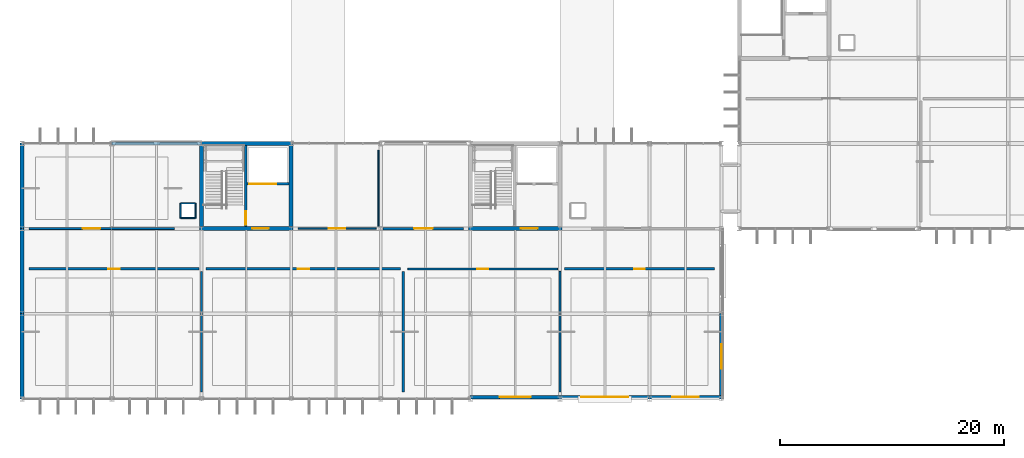
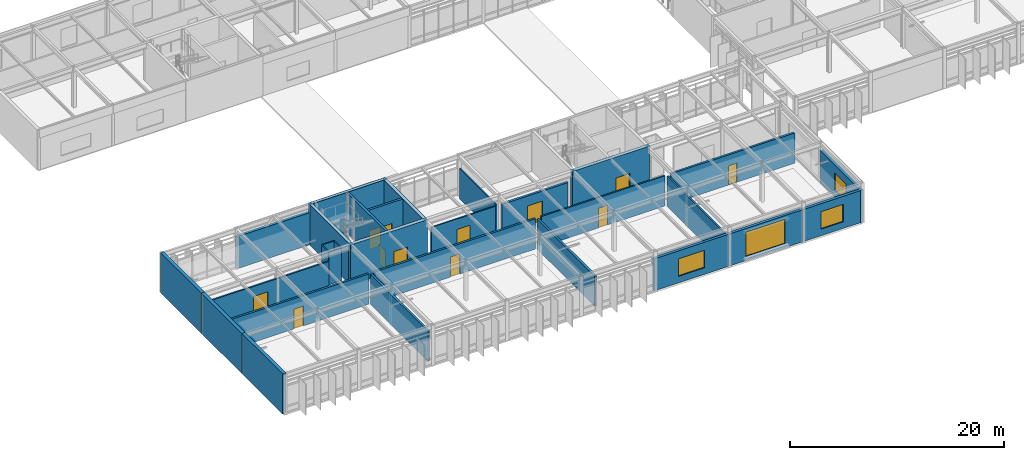
# One storey, part 82 of 100: 30 walls, 12 doors, 4 windows, 16 openings.
"""IFC4 building model written with IfcOpenShell, lengths in metres."""

from ifc_helpers import new_model, si_unit, direction, frame, frame_2d, origin, place, context, subcontext, project, spatial, rectangle, extrude, material, layer, layer_set, type_object, element, fill, save


model = new_model("IFC4")

# Units and contexts
model_context = context("Model", 3, precision=1e-05, world=origin(), true_north=direction((0.0, 1.0)))
body_context = subcontext(model_context, "Body", "Model", "MODEL_VIEW")
ifc_project = project(units=[si_unit("LENGTHUNIT", "METRE"), si_unit("AREAUNIT", "SQUARE_METRE"), si_unit("VOLUMEUNIT", "CUBIC_METRE"), si_unit("PLANEANGLEUNIT", "RADIAN"), si_unit("MASSUNIT", "GRAM", prefix="KILO")], contexts=[model_context])

# Site, building, storey
site_placement = place(None, origin())
site = spatial("IfcSite", under=ifc_project, at=site_placement, CompositionType="ELEMENT")
building_placement = place(site_placement, origin())
building = spatial("IfcBuilding", under=site, at=building_placement, Name="Zulena Civic Courthouse", CompositionType="ELEMENT")
storey_placement = place(building_placement, frame((0.0, 0.0, 20.39990234375)))
storey = spatial("IfcBuildingStorey", under=building, at=storey_placement, Name="L04", CompositionType="ELEMENT", Elevation=20.39990234375)

# Wall, opening, door
ifc_material_1 = material(Name="Concrete C40/50", Category="concrete")
ifc_layer_1 = layer(ifc_material_1, 0.25)
ifc_layer_set_1 = layer_set([ifc_layer_1], Name="Concrete C40/50")
wall_type_1 = type_object("IfcWallType", Name="CoreShearWall_RC250", PredefinedType="SHEAR", material=ifc_layer_set_1)
wall_1_placement = place(storey_placement, frame((23.949951171875, 15.375, 0.0), z_axis=(0.0, 0.0, 1.0), x_axis=(0.0, 1.0, 0.0)))
wall_1 = element("IfcWall", 1, at=wall_1_placement, inside=storey, type_object=wall_type_1, Name="cwall:K2A:L04:DIV", PredefinedType="SHEAR", context=body_context, shape_type="SweptSolid", body=[
    extrude(rectangle(XDim=7.25, YDim=0.25, at=frame_2d((3.625, 0.0))), origin(), (0.0, 0.0, 1.0), 4.590087890625),
])
opening_1_placement = place(wall_1_placement, frame((0.179931640625, 0.0, 0.0)))
opening_1 = element("IfcOpeningElement", 2, at=opening_1_placement, cuts=wall_1, Name="Opening ID07", PredefinedType="OPENING", context=body_context, shape_type="SweptSolid", body=[
    extrude(rectangle(XDim=1.199951171875, YDim=2.199951171875, at=frame_2d((0.60009765625, 1.10009765625))), frame((0.0, 0.135009765625, 0.0), z_axis=(0.0, -1.0, 0.0), x_axis=(1.0, 0.0, 0.0)), (0.0, 0.0, 1.0), 0.27001953125),
])
ifc_material_2 = material(Name="Fire-rated galvanised steel ASTM A653 Grade 50", Category="steel")
door_type_1 = type_object("IfcDoorType", Name="IntDoor_Stair_1200x2200", OperationType="NOTDEFINED", PredefinedType="DOOR", material=ifc_material_2)
door_1_placement = place(opening_1_placement, origin())
door_1 = element("IfcDoor", 3, at=door_1_placement, inside=storey, type_object=door_type_1, Name="door:stair:K2A:L04", OperationType="SINGLE_SWING_LEFT", OverallHeight=2.199951171875, OverallWidth=1.199951171875, PredefinedType="DOOR", context=body_context, shape_type="SweptSolid", body=[
    extrude(rectangle(XDim=1.199951171875, YDim=2.199951171875, at=frame_2d((0.60009765625, 1.10009765625))), frame((0.0, 0.02490234375, 0.0), z_axis=(0.0, -1.0, 0.0), x_axis=(1.0, 0.0, 0.0)), (0.0, 0.0, 1.0), 0.050048828125),
])
fill(opening_1, door_1)

# Wall, openings, doors
wall_2_placement = place(storey_placement, frame((24.074951171875, 19.199951171875, 0.0), z_axis=(0.0, 0.0, 1.0), x_axis=(1.0, 0.0, 0.0)))
wall_2 = element("IfcWall", 4, at=wall_2_placement, inside=storey, type_object=wall_type_1, Name="cwall:K2A:L04:SHF", PredefinedType="SHEAR", context=body_context, shape_type="SweptSolid", body=[
    extrude(rectangle(XDim=3.75, YDim=0.25, at=frame_2d((1.875, 0.0))), origin(), (0.0, 0.0, 1.0), 4.590087890625),
])
opening_2_placement = place(wall_2_placement, frame((0.179931640625, 0.0, 0.0)))
opening_2 = element("IfcOpeningElement", 5, at=opening_2_placement, cuts=wall_2, Name="Opening LD01", PredefinedType="OPENING", context=body_context, shape_type="SweptSolid", body=[
    extrude(rectangle(XDim=1.199951171875, YDim=2.199951171875, at=frame_2d((0.60009765625, 1.10009765625))), frame((0.0, 0.135009765625, 0.0), z_axis=(0.0, -1.0, 0.0), x_axis=(1.0, 0.0, 0.0)), (0.0, 0.0, 1.0), 0.27001953125),
])
opening_3_placement = place(wall_2_placement, frame((1.550048828125, 0.0, 0.0)))
opening_3 = element("IfcOpeningElement", 6, at=opening_3_placement, cuts=wall_2, Name="Opening LD03", PredefinedType="OPENING", context=body_context, shape_type="SweptSolid", body=[
    extrude(rectangle(XDim=1.050048828125, YDim=2.199951171875, at=frame_2d((0.52490234375, 1.10009765625))), frame((0.0, 0.135009765625, 0.0), z_axis=(0.0, -1.0, 0.0), x_axis=(1.0, 0.0, 0.0)), (0.0, 0.0, 1.0), 0.27001953125),
])
door_type_2 = type_object("IfcDoorType", Name="LiftLandingDoor_FF_1200x2200", OperationType="SLIDING_TO_LEFT", PredefinedType="DOOR", material=ifc_material_2)
door_2_placement = place(opening_2_placement, origin())
door_2 = element("IfcDoor", 7, at=door_2_placement, inside=storey, type_object=door_type_2, Name="door:ld:FL-01:L04", OperationType="SLIDING_TO_LEFT", OverallHeight=2.199951171875, OverallWidth=1.199951171875, PredefinedType="DOOR", context=body_context, shape_type="SweptSolid", body=[
    extrude(rectangle(XDim=1.199951171875, YDim=2.199951171875, at=frame_2d((0.60009765625, 1.10009765625))), frame((0.0, 0.02490234375, 0.0), z_axis=(0.0, -1.0, 0.0), x_axis=(1.0, 0.0, 0.0)), (0.0, 0.0, 1.0), 0.050048828125),
])
fill(opening_2, door_2)
door_type_3 = type_object("IfcDoorType", Name="LiftLandingDoor_Jud_1050x2200", OperationType="SLIDING_TO_RIGHT", PredefinedType="DOOR", material=ifc_material_2)
door_3_placement = place(opening_3_placement, origin())
door_3 = element("IfcDoor", 8, at=door_3_placement, inside=storey, type_object=door_type_3, Name="door:ld:JL-01:L04", OperationType="SLIDING_TO_RIGHT", OverallHeight=2.199951171875, OverallWidth=1.050048828125, PredefinedType="DOOR", context=body_context, shape_type="SweptSolid", body=[
    extrude(rectangle(XDim=1.050048828125, YDim=2.199951171875, at=frame_2d((0.52490234375, 1.10009765625))), frame((0.0, 0.02490234375, 0.0), z_axis=(0.0, -1.0, 0.0), x_axis=(1.0, 0.0, 0.0)), (0.0, 0.0, 1.0), 0.050048828125),
])
fill(opening_3, door_3)

# Wall, opening, door
ifc_layer_2 = layer(ifc_material_1, 0.35009765625)
ifc_layer_set_2 = layer_set([ifc_layer_2], Name="Concrete C40/50")
wall_type_2 = type_object("IfcWallType", Name="CoreShearWall_RC350", PredefinedType="SHEAR", material=ifc_layer_set_2)
wall_3_placement = place(storey_placement, frame((19.824951171875, 15.199951171875, 0.0), z_axis=(0.0, 0.0, 1.0), x_axis=(1.0, 0.0, 0.0)))
wall_3 = element("IfcWall", 9, at=wall_3_placement, inside=storey, type_object=wall_type_2, Name="cwall:K2A:L04:S", PredefinedType="SHEAR", context=body_context, shape_type="SweptSolid", body=[
    extrude(rectangle(XDim=8.35009765625, YDim=0.35009765625, at=frame_2d((4.175048828125, 0.0))), origin(), (0.0, 0.0, 1.0), 4.590087890625),
])
opening_4_placement = place(wall_3_placement, frame((4.68505859375, 0.0, 0.0)))
opening_4 = element("IfcOpeningElement", 10, at=opening_4_placement, cuts=wall_3, Name="Opening ID05", PredefinedType="OPENING", context=body_context, shape_type="SweptSolid", body=[
    extrude(rectangle(XDim=1.5, YDim=2.199951171875, at=frame_2d((0.75, 1.10009765625))), frame((0.0, 0.18505859375, 0.0), z_axis=(0.0, -1.0, 0.0), x_axis=(1.0, 0.0, 0.0)), (0.0, 0.0, 1.0), 0.3701171875),
])
door_type_4 = type_object("IfcDoorType", Name="IntDoor_FFLobby_1500x2200", OperationType="DOUBLE_DOOR_SINGLE_SWING", PredefinedType="DOOR", material=ifc_material_2)
door_4_placement = place(opening_4_placement, origin())
door_4 = element("IfcDoor", 11, at=door_4_placement, inside=storey, type_object=door_type_4, Name="door:corelob:K2A:L04", OperationType="DOUBLE_DOOR_SINGLE_SWING", OverallHeight=2.199951171875, OverallWidth=1.5, PredefinedType="DOOR", context=body_context, shape_type="SweptSolid", body=[
    extrude(rectangle(XDim=1.5, YDim=2.199951171875, at=frame_2d((0.75, 1.10009765625))), frame((0.0, 0.02490234375, 0.0), z_axis=(0.0, -1.0, 0.0), x_axis=(1.0, 0.0, 0.0)), (0.0, 0.0, 1.0), 0.050048828125),
])
fill(opening_4, door_4)

# Walls
wall_4_placement = place(storey_placement, frame((19.824951171875, 22.800048828125, 0.0), z_axis=(0.0, 0.0, 1.0), x_axis=(1.0, 0.0, 0.0)))
element("IfcWall", 12, at=wall_4_placement, inside=storey, type_object=wall_type_2, Name="cwall:K2A:L04:N", PredefinedType="SHEAR", context=body_context, shape_type="SweptSolid", body=[
    extrude(rectangle(XDim=8.35009765625, YDim=0.35009765625, at=frame_2d((4.175048828125, 0.0))), origin(), (0.0, 0.0, 1.0), 4.590087890625),
])
for number, where, z_axis, x_axis, name in (
    (13, (20.0, 15.375, 0.0), (0.0, 0.0, 1.0), (0.0, 1.0, 0.0), "cwall:K2A:L04:W"),
    (14, (28.0, 15.375, 0.0), (0.0, 0.0, 1.0), (0.0, 1.0, 0.0), "cwall:K2A:L04:E"),
):
    element("IfcWall", number, at=place(storey_placement, frame(where, z_axis=z_axis, x_axis=x_axis)), inside=storey, type_object=wall_type_2, Name=name, PredefinedType="SHEAR", context=body_context, shape_type="SweptSolid", body=[
        extrude(rectangle(XDim=7.25, YDim=0.35009765625, at=frame_2d((3.625, 0.0))), origin(), (0.0, 0.0, 1.0), 4.590087890625),
    ])

# Wall, opening, door
wall_5_placement = place(storey_placement, frame((43.824951171875, 15.199951171875, 0.0), z_axis=(0.0, 0.0, 1.0), x_axis=(1.0, 0.0, 0.0)))
wall_5 = element("IfcWall", 15, at=wall_5_placement, inside=storey, type_object=wall_type_2, Name="cwall:K2B:L04:S", PredefinedType="SHEAR", context=body_context, shape_type="SweptSolid", body=[
    extrude(rectangle(XDim=8.35009765625, YDim=0.35009765625, at=frame_2d((4.175048828125, 0.0))), origin(), (0.0, 0.0, 1.0), 4.590087890625),
])
opening_5_placement = place(wall_5_placement, frame((4.68505859375, 0.0, 0.0)))
opening_5 = element("IfcOpeningElement", 16, at=opening_5_placement, cuts=wall_5, Name="Opening ID05", PredefinedType="OPENING", context=body_context, shape_type="SweptSolid", body=[
    extrude(rectangle(XDim=1.5, YDim=2.199951171875, at=frame_2d((0.75, 1.10009765625))), frame((0.0, 0.18505859375, 0.0), z_axis=(0.0, -1.0, 0.0), x_axis=(1.0, 0.0, 0.0)), (0.0, 0.0, 1.0), 0.3701171875),
])
door_5_placement = place(opening_5_placement, origin())
door_5 = element("IfcDoor", 17, at=door_5_placement, inside=storey, type_object=door_type_4, Name="door:corelob:K2B:L04", OperationType="DOUBLE_DOOR_SINGLE_SWING", OverallHeight=2.199951171875, OverallWidth=1.5, PredefinedType="DOOR", context=body_context, shape_type="SweptSolid", body=[
    extrude(rectangle(XDim=1.5, YDim=2.199951171875, at=frame_2d((0.75, 1.10009765625))), frame((0.0, 0.02490234375, 0.0), z_axis=(0.0, -1.0, 0.0), x_axis=(1.0, 0.0, 0.0)), (0.0, 0.0, 1.0), 0.050048828125),
])
fill(opening_5, door_5)

# Walls
ifc_layer_3 = layer(ifc_material_1, 0.360107421875)
ifc_layer_set_3 = layer_set([ifc_layer_3], Name="Concrete C40/50")
wall_type_3 = type_object("IfcWallType", Name="ExtWall_PartyWall_360", PredefinedType="STANDARD", material=ifc_layer_set_3)
wall_6_placement = place(storey_placement, frame((4.0, -0.02001953125, 0.0), z_axis=(0.0, 0.0, 1.0), x_axis=(0.0, 1.0, 0.0)))
element("IfcWall", 18, at=wall_6_placement, inside=storey, type_object=wall_type_3, Name="ewall:V2:L04:0:0", PredefinedType="STANDARD", context=body_context, shape_type="SweptSolid", body=[
    extrude(rectangle(XDim=7.64013671875, YDim=0.360107421875, at=frame_2d((3.820068359375, 0.0))), origin(), (0.0, 0.0, 1.0), 4.60009765625),
])
wall_7_placement = place(storey_placement, frame((4.0, 7.580078125, 0.0), z_axis=(0.0, 0.0, 1.0), x_axis=(0.0, 1.0, 0.0)))
element("IfcWall", 19, at=wall_7_placement, inside=storey, type_object=wall_type_3, Name="ewall:V2:L04:0:1", PredefinedType="STANDARD", context=body_context, shape_type="SweptSolid", body=[
    extrude(rectangle(XDim=7.639892578125, YDim=0.360107421875, at=frame_2d((3.81982421875, 0.0))), origin(), (0.0, 0.0, 1.0), 4.60009765625),
])
wall_8_placement = place(storey_placement, frame((4.0, 15.179931640625, 0.0), z_axis=(0.0, 0.0, 1.0), x_axis=(0.0, 1.0, 0.0)))
element("IfcWall", 20, at=wall_8_placement, inside=storey, type_object=wall_type_3, Name="ewall:V2:L04:0:2", PredefinedType="STANDARD", context=body_context, shape_type="SweptSolid", body=[
    extrude(rectangle(XDim=7.64013671875, YDim=0.360107421875, at=frame_2d((3.820068359375, 0.0))), origin(), (0.0, 0.0, 1.0), 4.60009765625),
])
ifc_material_3 = material(Name="White architectural precast concrete C40/50", Category="concrete")
ifc_layer_4 = layer(ifc_material_3, 0.300048828125)
ifc_layer_set_4 = layer_set([ifc_layer_4], Name="White architectural precast concrete C40/50")
wall_type_4 = type_object("IfcWallType", Name="ExtWall_WhitePrecast_300", PredefinedType="STANDARD", material=ifc_layer_set_4)
wall_9_placement = place(storey_placement, frame((11.97998046875, 22.800048828125, 0.0), z_axis=(0.0, 0.0, 1.0), x_axis=(1.0, 0.0, 0.0)))
element("IfcWall", 21, at=wall_9_placement, inside=storey, type_object=wall_type_4, Name="ewall:V2:L04:1:1", PredefinedType="STANDARD", context=body_context, shape_type="SweptSolid", body=[
    extrude(rectangle(XDim=8.0400390625, YDim=0.300048828125, at=frame_2d((4.02001953125, 0.0))), origin(), (0.0, 0.0, 1.0), 3.66015625),
])

# Wall, opening, window
wall_10_placement = place(storey_placement, frame((66.39990234375, 7.6201171875, 0.0), z_axis=(0.0, 0.0, 1.0), x_axis=(0.0, -1.0, 0.0)))
wall_10 = element("IfcWall", 22, at=wall_10_placement, inside=storey, type_object=wall_type_4, Name="ewall:V2:L04:2:2", PredefinedType="STANDARD", context=body_context, shape_type="SweptSolid", body=[
    extrude(rectangle(XDim=7.64013671875, YDim=0.300048828125, at=frame_2d((3.820068359375, 0.0))), origin(), (0.0, 0.0, 1.0), 3.66015625),
])
opening_6_placement = place(wall_10_placement, frame((2.719970703125, 0.0, 0.75)))
opening_6 = element("IfcOpeningElement", 23, at=opening_6_placement, cuts=wall_10, Name="Opening WN05", PredefinedType="OPENING", context=body_context, shape_type="SweptSolid", body=[
    extrude(rectangle(XDim=2.199951171875, YDim=2.0, at=frame_2d((1.10009765625, 1.0))), frame((0.0, 0.159912109375, 0.0), z_axis=(0.0, -1.0, 0.0), x_axis=(1.0, 0.0, 0.0)), (0.0, 0.0, 1.0), 0.320068359375),
])
ifc_material_4 = material(Name="Double-silver low-E laminated solar-control glass", Category="glass")
window_type_1 = type_object("IfcWindowType", Name="Win_2200x2000", PartitioningType="DOUBLE_PANEL_VERTICAL", PredefinedType="WINDOW", material=ifc_material_4)
window_1_placement = place(opening_6_placement, origin())
window_1 = element("IfcWindow", 24, at=window_1_placement, inside=storey, type_object=window_type_1, Name="win:V2:L04:2:2", OverallHeight=2.0, OverallWidth=2.199951171875, PartitioningType="SINGLE_PANEL", PredefinedType="WINDOW", context=body_context, shape_type="SweptSolid", body=[
    extrude(rectangle(XDim=2.199951171875, YDim=2.0, at=frame_2d((1.10009765625, 1.0))), frame((0.0, 0.030029296875, 0.0), z_axis=(0.0, -1.0, 0.0), x_axis=(1.0, 0.0, 0.0)), (0.0, 0.0, 1.0), 0.06005859375),
])
fill(opening_6, window_1)

wall_11_placement = place(storey_placement, frame((66.419921875, 0.159912109375, 0.0), z_axis=(0.0, 0.0, 1.0), x_axis=(-1.0, 0.0, 0.0)))
wall_11 = element("IfcWall", 25, at=wall_11_placement, inside=storey, type_object=wall_type_4, Name="ewall:V2:L04:3:0", PredefinedType="STANDARD", context=body_context, shape_type="SweptSolid", body=[
    extrude(rectangle(XDim=6.43994140625, YDim=0.300048828125, at=frame_2d((3.219970703125, 0.0))), origin(), (0.0, 0.0, 1.0), 3.66015625),
])
opening_7_placement = place(wall_11_placement, frame((2.02001953125, 0.0, 0.75)))
opening_7 = element("IfcOpeningElement", 26, at=opening_7_placement, cuts=wall_11, Name="Opening WN06", PredefinedType="OPENING", context=body_context, shape_type="SweptSolid", body=[
    extrude(rectangle(XDim=2.39990234375, YDim=2.0, at=frame_2d((1.199951171875, 1.0))), frame((0.0, 0.159912109375, 0.0), z_axis=(0.0, -1.0, 0.0), x_axis=(1.0, 0.0, 0.0)), (0.0, 0.0, 1.0), 0.320068359375),
])
window_type_2 = type_object("IfcWindowType", Name="Win_2400x2000", PartitioningType="DOUBLE_PANEL_VERTICAL", PredefinedType="WINDOW", material=ifc_material_4)
window_2_placement = place(opening_7_placement, origin())
window_2 = element("IfcWindow", 27, at=window_2_placement, inside=storey, type_object=window_type_2, Name="win:V2:L04:3:0", OverallHeight=2.0, OverallWidth=2.39990234375, PartitioningType="SINGLE_PANEL", PredefinedType="WINDOW", context=body_context, shape_type="SweptSolid", body=[
    extrude(rectangle(XDim=2.39990234375, YDim=2.0, at=frame_2d((1.199951171875, 1.0))), frame((0.0, 0.030029296875, 0.0), z_axis=(0.0, -1.0, 0.0), x_axis=(1.0, 0.0, 0.0)), (0.0, 0.0, 1.0), 0.06005859375),
])
fill(opening_7, window_2)

wall_12_placement = place(storey_placement, frame((60.02001953125, 0.159912109375, 0.0), z_axis=(0.0, 0.0, 1.0), x_axis=(-1.0, 0.0, 0.0)))
wall_12 = element("IfcWall", 28, at=wall_12_placement, inside=storey, type_object=wall_type_4, Name="ewall:V2:L04:3:1", PredefinedType="STANDARD", context=body_context, shape_type="SweptSolid", body=[
    extrude(rectangle(XDim=8.0400390625, YDim=0.300048828125, at=frame_2d((4.02001953125, 0.0))), origin(), (0.0, 0.0, 1.0), 3.66015625),
])
opening_8_placement = place(wall_12_placement, frame((1.919921875, 0.0, 0.449951171875)))
opening_8 = element("IfcOpeningElement", 29, at=opening_8_placement, cuts=wall_12, Name="Opening WN49", PredefinedType="OPENING", context=body_context, shape_type="SweptSolid", body=[
    extrude(rectangle(XDim=4.199951171875, YDim=2.800048828125, at=frame_2d((2.10009765625, 1.39990234375))), frame((0.0, 0.159912109375, 0.0), z_axis=(0.0, -1.0, 0.0), x_axis=(1.0, 0.0, 0.0)), (0.0, 0.0, 1.0), 0.320068359375),
])
window_type_3 = type_object("IfcWindowType", Name="Win_4200x2800", PartitioningType="DOUBLE_PANEL_VERTICAL", PredefinedType="WINDOW", material=ifc_material_4)
window_3_placement = place(opening_8_placement, origin())
window_3 = element("IfcWindow", 30, at=window_3_placement, inside=storey, type_object=window_type_3, Name="win:outlook:L04:3:1", OverallHeight=2.800048828125, OverallWidth=4.199951171875, PartitioningType="SINGLE_PANEL", PredefinedType="WINDOW", context=body_context, shape_type="SweptSolid", body=[
    extrude(rectangle(XDim=4.199951171875, YDim=2.800048828125, at=frame_2d((2.10009765625, 1.39990234375))), frame((0.0, 0.030029296875, 0.0), z_axis=(0.0, -1.0, 0.0), x_axis=(1.0, 0.0, 0.0)), (0.0, 0.0, 1.0), 0.06005859375),
])
fill(opening_8, window_3)

wall_13_placement = place(storey_placement, frame((52.02001953125, 0.159912109375, 0.0), z_axis=(0.0, 0.0, 1.0), x_axis=(-1.0, 0.0, 0.0)))
wall_13 = element("IfcWall", 31, at=wall_13_placement, inside=storey, type_object=wall_type_4, Name="ewall:V2:L04:3:2", PredefinedType="STANDARD", context=body_context, shape_type="SweptSolid", body=[
    extrude(rectangle(XDim=8.0400390625, YDim=0.300048828125, at=frame_2d((4.02001953125, 0.0))), origin(), (0.0, 0.0, 1.0), 3.66015625),
])
opening_9_placement = place(wall_13_placement, frame((2.6201171875, 0.0, 0.75)))
opening_9 = element("IfcOpeningElement", 32, at=opening_9_placement, cuts=wall_13, Name="Opening WN07", PredefinedType="OPENING", context=body_context, shape_type="SweptSolid", body=[
    extrude(rectangle(XDim=2.800048828125, YDim=2.0, at=frame_2d((1.39990234375, 1.0))), frame((0.0, 0.159912109375, 0.0), z_axis=(0.0, -1.0, 0.0), x_axis=(1.0, 0.0, 0.0)), (0.0, 0.0, 1.0), 0.320068359375),
])
window_type_4 = type_object("IfcWindowType", Name="Win_2800x2000", PartitioningType="DOUBLE_PANEL_VERTICAL", PredefinedType="WINDOW", material=ifc_material_4)
window_4_placement = place(opening_9_placement, origin())
window_4 = element("IfcWindow", 33, at=window_4_placement, inside=storey, type_object=window_type_4, Name="win:V2:L04:3:2", OverallHeight=2.0, OverallWidth=2.800048828125, PartitioningType="SINGLE_PANEL", PredefinedType="WINDOW", context=body_context, shape_type="SweptSolid", body=[
    extrude(rectangle(XDim=2.800048828125, YDim=2.0, at=frame_2d((1.39990234375, 1.0))), frame((0.0, 0.030029296875, 0.0), z_axis=(0.0, -1.0, 0.0), x_axis=(1.0, 0.0, 0.0)), (0.0, 0.0, 1.0), 0.06005859375),
])
fill(opening_9, window_4)

# Wall, opening, door
ifc_material_5 = material(Name="Acoustic fire-rated gypsum board assembly", Category="masonry")
ifc_layer_5 = layer(ifc_material_5, 0.215087890625)
ifc_layer_set_5 = layer_set([ifc_layer_5], Name="Acoustic fire-rated gypsum board assembly")
wall_type_5 = type_object("IfcWallType", Name="PartWall_CourtAcoustic_215", PredefinedType="PARTITIONING", material=ifc_layer_set_5)
wall_14_placement = place(storey_placement, frame((4.6201171875, 11.60009765625, 0.0), z_axis=(0.0, 0.0, 1.0), x_axis=(1.0, 0.0, 0.0)))
wall_14 = element("IfcWall", 34, at=wall_14_placement, inside=storey, type_object=wall_type_5, Name="pwall:L04:323:0", PredefinedType="PARTITIONING", context=body_context, shape_type="SweptSolid", body=[
    extrude(rectangle(XDim=15.159912109375, YDim=0.215087890625, at=frame_2d((7.580078125, 0.0))), origin(), (0.0, 0.0, 1.0), 3.4501953125),
])
opening_10_placement = place(wall_14_placement, frame((7.070068359375, 0.0, 0.0)))
opening_10 = element("IfcOpeningElement", 35, at=opening_10_placement, cuts=wall_14, Name="Opening ID12", PredefinedType="OPENING", context=body_context, shape_type="SweptSolid", body=[
    extrude(rectangle(XDim=1.02001953125, YDim=2.25, at=frame_2d((0.510009765625, 1.125))), frame((0.0, 0.117431640625, 0.0), z_axis=(0.0, -1.0, 0.0), x_axis=(1.0, 0.0, 0.0)), (0.0, 0.0, 1.0), 0.235107421875),
])
ifc_material_6 = material(Name="Solid-core acoustic hardwood timber", Category="wood")
door_type_5 = type_object("IfcDoorType", Name="IntDoor_Jury_1020x2250", OperationType="NOTDEFINED", PredefinedType="DOOR", material=ifc_material_6)
door_6_placement = place(opening_10_placement, origin())
door_6 = element("IfcDoor", 36, at=door_6_placement, inside=storey, type_object=door_type_5, Name="door:rm:L04:323", OperationType="SINGLE_SWING_RIGHT", OverallHeight=2.25, OverallWidth=1.02001953125, PredefinedType="DOOR", context=body_context, shape_type="SweptSolid", body=[
    extrude(rectangle(XDim=1.02001953125, YDim=2.25, at=frame_2d((0.510009765625, 1.125))), frame((0.0, 0.02490234375, 0.0), z_axis=(0.0, -1.0, 0.0), x_axis=(1.0, 0.0, 0.0)), (0.0, 0.0, 1.0), 0.050048828125),
])
fill(opening_10, door_6)

# Wall
wall_15_placement = place(storey_placement, frame((20.0, 0.6201171875, 0.0), z_axis=(0.0, 0.0, 1.0), x_axis=(0.0, 1.0, 0.0)))
element("IfcWall", 37, at=wall_15_placement, inside=storey, type_object=wall_type_5, Name="pwall:L04:323:1", PredefinedType="PARTITIONING", context=body_context, shape_type="SweptSolid", body=[
    extrude(rectangle(XDim=10.759765625, YDim=0.215087890625, at=frame_2d((5.3798828125, 0.0))), origin(), (0.0, 0.0, 1.0), 3.4501953125),
])

# Wall, opening, door
wall_16_placement = place(storey_placement, frame((20.419921875, 11.60009765625, 0.0), z_axis=(0.0, 0.0, 1.0), x_axis=(1.0, 0.0, 0.0)))
wall_16 = element("IfcWall", 38, at=wall_16_placement, inside=storey, type_object=wall_type_5, Name="pwall:L04:324:0", PredefinedType="PARTITIONING", context=body_context, shape_type="SweptSolid", body=[
    extrude(rectangle(XDim=17.360107421875, YDim=0.215087890625, at=frame_2d((8.68017578125, 0.0))), origin(), (0.0, 0.0, 1.0), 3.4501953125),
])
opening_11_placement = place(wall_16_placement, frame((8.179931640625, 0.0, 0.0)))
opening_11 = element("IfcOpeningElement", 39, at=opening_11_placement, cuts=wall_16, Name="Opening ID13", PredefinedType="OPENING", context=body_context, shape_type="SweptSolid", body=[
    extrude(rectangle(XDim=1.0, YDim=2.300048828125, at=frame_2d((0.5, 1.14990234375))), frame((0.0, 0.117431640625, 0.0), z_axis=(0.0, -1.0, 0.0), x_axis=(1.0, 0.0, 0.0)), (0.0, 0.0, 1.0), 0.235107421875),
])
door_type_6 = type_object("IfcDoorType", Name="IntDoor_Chambers_1000x2300", OperationType="NOTDEFINED", PredefinedType="DOOR", material=ifc_material_6)
door_7_placement = place(opening_11_placement, origin())
door_7 = element("IfcDoor", 40, at=door_7_placement, inside=storey, type_object=door_type_6, Name="door:rm:L04:324", OperationType="SINGLE_SWING_LEFT", OverallHeight=2.300048828125, OverallWidth=1.0, PredefinedType="DOOR", context=body_context, shape_type="SweptSolid", body=[
    extrude(rectangle(XDim=1.0, YDim=2.300048828125, at=frame_2d((0.5, 1.14990234375))), frame((0.0, 0.02490234375, 0.0), z_axis=(0.0, -1.0, 0.0), x_axis=(1.0, 0.0, 0.0)), (0.0, 0.0, 1.0), 0.050048828125),
])
fill(opening_11, door_7)

# Wall
wall_17_placement = place(storey_placement, frame((38.0, 0.6201171875, 0.0), z_axis=(0.0, 0.0, 1.0), x_axis=(0.0, 1.0, 0.0)))
element("IfcWall", 41, at=wall_17_placement, inside=storey, type_object=wall_type_5, Name="pwall:L04:324:1", PredefinedType="PARTITIONING", context=body_context, shape_type="SweptSolid", body=[
    extrude(rectangle(XDim=10.759765625, YDim=0.215087890625, at=frame_2d((5.3798828125, 0.0))), origin(), (0.0, 0.0, 1.0), 3.4501953125),
])

# Wall, opening, door
wall_18_placement = place(storey_placement, frame((52.419921875, 11.60009765625, 0.0), z_axis=(0.0, 0.0, 1.0), x_axis=(1.0, 0.0, 0.0)))
wall_18 = element("IfcWall", 42, at=wall_18_placement, inside=storey, type_object=wall_type_5, Name="pwall:L04:326:0", PredefinedType="PARTITIONING", context=body_context, shape_type="SweptSolid", body=[
    extrude(rectangle(XDim=13.360107421875, YDim=0.215087890625, at=frame_2d((6.68017578125, 0.0))), origin(), (0.0, 0.0, 1.0), 3.4501953125),
])
opening_12_placement = place(wall_18_placement, frame((6.219970703125, 0.0, 0.0)))
opening_12 = element("IfcOpeningElement", 43, at=opening_12_placement, cuts=wall_18, Name="Opening ID15", PredefinedType="OPENING", context=body_context, shape_type="SweptSolid", body=[
    extrude(rectangle(XDim=0.919921875, YDim=2.199951171875, at=frame_2d((0.4599609375, 1.10009765625))), frame((0.0, 0.117431640625, 0.0), z_axis=(0.0, -1.0, 0.0), x_axis=(1.0, 0.0, 0.0)), (0.0, 0.0, 1.0), 0.235107421875),
])
door_type_7 = type_object("IfcDoorType", Name="IntDoor_Chambers_920x2200", OperationType="NOTDEFINED", PredefinedType="DOOR", material=ifc_material_6)
door_8_placement = place(opening_12_placement, origin())
door_8 = element("IfcDoor", 44, at=door_8_placement, inside=storey, type_object=door_type_7, Name="door:rm:L04:326", OperationType="SINGLE_SWING_LEFT", OverallHeight=2.199951171875, OverallWidth=0.919921875, PredefinedType="DOOR", context=body_context, shape_type="SweptSolid", body=[
    extrude(rectangle(XDim=0.919921875, YDim=2.199951171875, at=frame_2d((0.4599609375, 1.10009765625))), frame((0.0, 0.02490234375, 0.0), z_axis=(0.0, -1.0, 0.0), x_axis=(1.0, 0.0, 0.0)), (0.0, 0.0, 1.0), 0.050048828125),
])
fill(opening_12, door_8)

ifc_material_7 = material(Name="Insulated blockwork masonry ASTM C90", Category="masonry")
ifc_layer_6 = layer(ifc_material_7, 0.239990234375)
ifc_layer_set_6 = layer_set([ifc_layer_6], Name="Insulated blockwork masonry ASTM C90")
wall_type_6 = type_object("IfcWallType", Name="PartWall_Custody_240", PredefinedType="PARTITIONING", material=ifc_layer_set_6)
wall_19_placement = place(storey_placement, frame((36.219970703125, 15.199951171875, 0.0), z_axis=(0.0, 0.0, 1.0), x_axis=(1.0, 0.0, 0.0)))
wall_19 = element("IfcWall", 45, at=wall_19_placement, inside=storey, type_object=wall_type_6, Name="pwall:L04:329:0", PredefinedType="PARTITIONING", context=body_context, shape_type="SweptSolid", body=[
    extrude(rectangle(XDim=7.159912109375, YDim=0.239990234375, at=frame_2d((3.580078125, 0.0))), origin(), (0.0, 0.0, 1.0), 3.4501953125),
])
opening_13_placement = place(wall_19_placement, frame((2.7548828125, 0.0, 0.0)))
opening_13 = element("IfcOpeningElement", 46, at=opening_13_placement, cuts=wall_19, Name="Opening ID18", PredefinedType="OPENING", context=body_context, shape_type="SweptSolid", body=[
    extrude(rectangle(XDim=1.64990234375, YDim=2.300048828125, at=frame_2d((0.824951171875, 1.14990234375))), frame((0.0, 0.1298828125, 0.0), z_axis=(0.0, -1.0, 0.0), x_axis=(1.0, 0.0, 0.0)), (0.0, 0.0, 1.0), 0.260009765625),
])
door_type_8 = type_object("IfcDoorType", Name="IntDoor_Library_1650x2300", OperationType="DOUBLE_DOOR_SINGLE_SWING", PredefinedType="DOOR", material=ifc_material_6)
door_9_placement = place(opening_13_placement, origin())
door_9 = element("IfcDoor", 47, at=door_9_placement, inside=storey, type_object=door_type_8, Name="door:rm:L04:329", OperationType="DOUBLE_DOOR_SINGLE_SWING", OverallHeight=2.300048828125, OverallWidth=1.64990234375, PredefinedType="DOOR", context=body_context, shape_type="SweptSolid", body=[
    extrude(rectangle(XDim=1.64990234375, YDim=2.300048828125, at=frame_2d((0.824951171875, 1.14990234375))), frame((0.0, 0.02490234375, 0.0), z_axis=(0.0, -1.0, 0.0), x_axis=(1.0, 0.0, 0.0)), (0.0, 0.0, 1.0), 0.050048828125),
])
fill(opening_13, door_9)

ifc_layer_7 = layer(ifc_material_5, 0.162109375)
ifc_layer_set_7 = layer_set([ifc_layer_7], Name="Acoustic fire-rated gypsum board assembly")
wall_type_7 = type_object("IfcWallType", Name="PartWall_Jury_162", PredefinedType="PARTITIONING", material=ifc_layer_set_7)
wall_20_placement = place(storey_placement, frame((38.419921875, 11.60009765625, 0.0), z_axis=(0.0, 0.0, 1.0), x_axis=(1.0, 0.0, 0.0)))
wall_20 = element("IfcWall", 48, at=wall_20_placement, inside=storey, type_object=wall_type_7, Name="pwall:L04:325:0", PredefinedType="PARTITIONING", context=body_context, shape_type="SweptSolid", body=[
    extrude(rectangle(XDim=13.360107421875, YDim=0.162109375, at=frame_2d((6.68017578125, 0.0))), origin(), (0.0, 0.0, 1.0), 3.4501953125),
])
opening_14_placement = place(wall_20_placement, frame((6.199951171875, 0.0, 0.0)))
opening_14 = element("IfcOpeningElement", 49, at=opening_14_placement, cuts=wall_20, Name="Opening ID14", PredefinedType="OPENING", context=body_context, shape_type="SweptSolid", body=[
    extrude(rectangle(XDim=0.9599609375, YDim=2.25, at=frame_2d((0.47998046875, 1.125))), frame((0.0, 0.091064453125, 0.0), z_axis=(0.0, -1.0, 0.0), x_axis=(1.0, 0.0, 0.0)), (0.0, 0.0, 1.0), 0.18212890625),
])
door_type_9 = type_object("IfcDoorType", Name="IntDoor_Chambers_960x2250", OperationType="NOTDEFINED", PredefinedType="DOOR", material=ifc_material_6)
door_10_placement = place(opening_14_placement, origin())
door_10 = element("IfcDoor", 50, at=door_10_placement, inside=storey, type_object=door_type_9, Name="door:rm:L04:325", OperationType="SINGLE_SWING_RIGHT", OverallHeight=2.25, OverallWidth=0.9599609375, PredefinedType="DOOR", context=body_context, shape_type="SweptSolid", body=[
    extrude(rectangle(XDim=0.9599609375, YDim=2.25, at=frame_2d((0.47998046875, 1.125))), frame((0.0, 0.02490234375, 0.0), z_axis=(0.0, -1.0, 0.0), x_axis=(1.0, 0.0, 0.0)), (0.0, 0.0, 1.0), 0.050048828125),
])
fill(opening_14, door_10)

# Wall
wall_21_placement = place(storey_placement, frame((52.0, 0.6201171875, 0.0), z_axis=(0.0, 0.0, 1.0), x_axis=(0.0, 1.0, 0.0)))
element("IfcWall", 51, at=wall_21_placement, inside=storey, type_object=wall_type_7, Name="pwall:L04:325:1", PredefinedType="PARTITIONING", context=body_context, shape_type="SweptSolid", body=[
    extrude(rectangle(XDim=10.759765625, YDim=0.162109375, at=frame_2d((5.3798828125, 0.0))), origin(), (0.0, 0.0, 1.0), 3.4501953125),
])

# Wall, opening, door
wall_22_placement = place(storey_placement, frame((4.6201171875, 15.199951171875, 0.0), z_axis=(0.0, 0.0, 1.0), x_axis=(1.0, 0.0, 0.0)))
wall_22 = element("IfcWall", 52, at=wall_22_placement, inside=storey, type_object=wall_type_7, Name="pwall:L04:327:0", PredefinedType="PARTITIONING", context=body_context, shape_type="SweptSolid", body=[
    extrude(rectangle(XDim=12.9599609375, YDim=0.162109375, at=frame_2d((6.47998046875, 0.0))), origin(), (0.0, 0.0, 1.0), 3.4501953125),
])
opening_15_placement = place(wall_22_placement, frame((4.804931640625, 0.0, 0.0)))
opening_15 = element("IfcOpeningElement", 53, at=opening_15_placement, cuts=wall_22, Name="Opening ID16", PredefinedType="OPENING", context=body_context, shape_type="SweptSolid", body=[
    extrude(rectangle(XDim=1.550048828125, YDim=2.300048828125, at=frame_2d((0.77490234375, 1.14990234375))), frame((0.0, 0.091064453125, 0.0), z_axis=(0.0, -1.0, 0.0), x_axis=(1.0, 0.0, 0.0)), (0.0, 0.0, 1.0), 0.18212890625),
])
door_type_10 = type_object("IfcDoorType", Name="IntDoor_Registry_1550x2300", OperationType="DOUBLE_DOOR_SINGLE_SWING", PredefinedType="DOOR", material=ifc_material_6)
door_11_placement = place(opening_15_placement, origin())
door_11 = element("IfcDoor", 54, at=door_11_placement, inside=storey, type_object=door_type_10, Name="door:rm:L04:327", OperationType="DOUBLE_DOOR_SINGLE_SWING", OverallHeight=2.300048828125, OverallWidth=1.550048828125, PredefinedType="DOOR", context=body_context, shape_type="SweptSolid", body=[
    extrude(rectangle(XDim=1.550048828125, YDim=2.300048828125, at=frame_2d((0.77490234375, 1.14990234375))), frame((0.0, 0.02490234375, 0.0), z_axis=(0.0, -1.0, 0.0), x_axis=(1.0, 0.0, 0.0)), (0.0, 0.0, 1.0), 0.050048828125),
])
fill(opening_15, door_11)

# Walls
ifc_layer_8 = layer(ifc_material_7, 0.114990234375)
ifc_layer_set_8 = layer_set([ifc_layer_8], Name="Insulated blockwork masonry ASTM C90")
wall_type_8 = type_object("IfcWallType", Name="PartWall_Riser_115", PredefinedType="PARTITIONING", material=ifc_layer_set_8)
for number, where, z_axis, x_axis, name in (
    (55, (18.139892578125, 16.139892578125, 0.0), (0.0, 0.0, 1.0), (1.0, 0.0, 0.0), "riser:RS-V2W:L04:0"),
    (56, (19.4599609375, 16.139892578125, 0.0), (0.0, 0.0, 1.0), (0.0, 1.0, 0.0), "riser:RS-V2W:L04:1"),
    (57, (19.4599609375, 17.4599609375, 0.0), (0.0, 0.0, 1.0), (-1.0, 0.0, 0.0), "riser:RS-V2W:L04:2"),
    (58, (18.139892578125, 17.4599609375, 0.0), (0.0, 0.0, 1.0), (0.0, -1.0, 0.0), "riser:RS-V2W:L04:3"),
):
    element("IfcWall", number, at=place(storey_placement, frame(where, z_axis=z_axis, x_axis=x_axis)), inside=storey, type_object=wall_type_8, Name=name, PredefinedType="PARTITIONING", context=body_context, shape_type="SweptSolid", body=[
        extrude(rectangle(XDim=1.320068359375, YDim=0.114990234375, at=frame_2d((0.66015625, 0.0))), origin(), (0.0, 0.0, 1.0), 3.75),
    ])

# Wall, opening, door
ifc_layer_9 = layer(ifc_material_7, 0.1279296875)
ifc_layer_set_9 = layer_set([ifc_layer_9], Name="Insulated blockwork masonry ASTM C90")
wall_type_9 = type_object("IfcWallType", Name="PartWall_WetRoom_128", PredefinedType="PARTITIONING", material=ifc_layer_set_9)
wall_23_placement = place(storey_placement, frame((28.6201171875, 15.199951171875, 0.0), z_axis=(0.0, 0.0, 1.0), x_axis=(1.0, 0.0, 0.0)))
wall_23 = element("IfcWall", 59, at=wall_23_placement, inside=storey, type_object=wall_type_9, Name="pwall:L04:328:0", PredefinedType="PARTITIONING", context=body_context, shape_type="SweptSolid", body=[
    extrude(rectangle(XDim=6.9599609375, YDim=0.1279296875, at=frame_2d((3.47998046875, 0.0))), origin(), (0.0, 0.0, 1.0), 3.4501953125),
])
opening_16_placement = place(wall_23_placement, frame((2.7548828125, 0.0, 0.0)))
opening_16 = element("IfcOpeningElement", 60, at=opening_16_placement, cuts=wall_23, Name="Opening ID17", PredefinedType="OPENING", context=body_context, shape_type="SweptSolid", body=[
    extrude(rectangle(XDim=1.449951171875, YDim=2.25, at=frame_2d((0.72509765625, 1.125))), frame((0.0, 0.073974609375, 0.0), z_axis=(0.0, -1.0, 0.0), x_axis=(1.0, 0.0, 0.0)), (0.0, 0.0, 1.0), 0.14794921875),
])
door_type_11 = type_object("IfcDoorType", Name="IntDoor_Registry_1450x2250", OperationType="DOUBLE_DOOR_SINGLE_SWING", PredefinedType="DOOR", material=ifc_material_6)
door_12_placement = place(opening_16_placement, origin())
door_12 = element("IfcDoor", 61, at=door_12_placement, inside=storey, type_object=door_type_11, Name="door:rm:L04:328", OperationType="DOUBLE_DOOR_SINGLE_SWING", OverallHeight=2.25, OverallWidth=1.449951171875, PredefinedType="DOOR", context=body_context, shape_type="SweptSolid", body=[
    extrude(rectangle(XDim=1.449951171875, YDim=2.25, at=frame_2d((0.72509765625, 1.125))), frame((0.0, 0.02490234375, 0.0), z_axis=(0.0, -1.0, 0.0), x_axis=(1.0, 0.0, 0.0)), (0.0, 0.0, 1.0), 0.050048828125),
])
fill(opening_16, door_12)

# Wall
wall_24_placement = place(storey_placement, frame((35.800048828125, 15.419921875, 0.0), z_axis=(0.0, 0.0, 1.0), x_axis=(0.0, 1.0, 0.0)))
element("IfcWall", 62, at=wall_24_placement, inside=storey, type_object=wall_type_9, Name="pwall:L04:328:1", PredefinedType="PARTITIONING", context=body_context, shape_type="SweptSolid", body=[
    extrude(rectangle(XDim=6.760009765625, YDim=0.1279296875, at=frame_2d((3.3798828125, 0.0))), origin(), (0.0, 0.0, 1.0), 3.4501953125),
])

save(model, "model.ifc")
